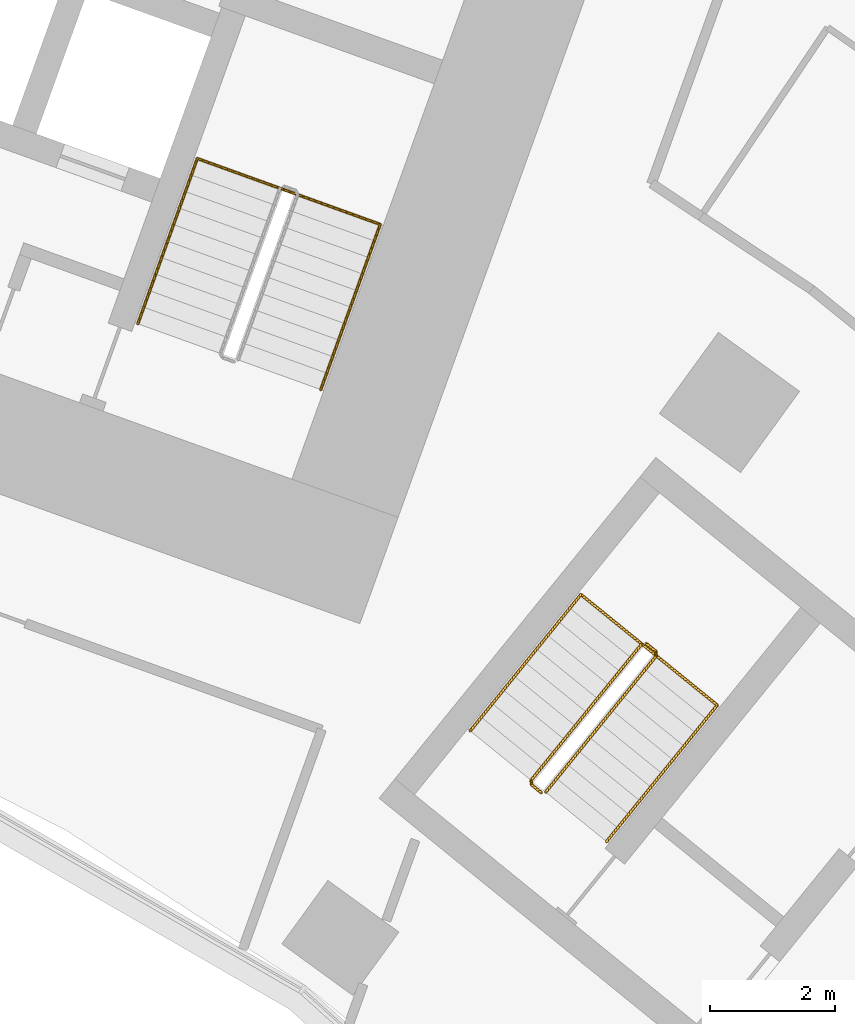
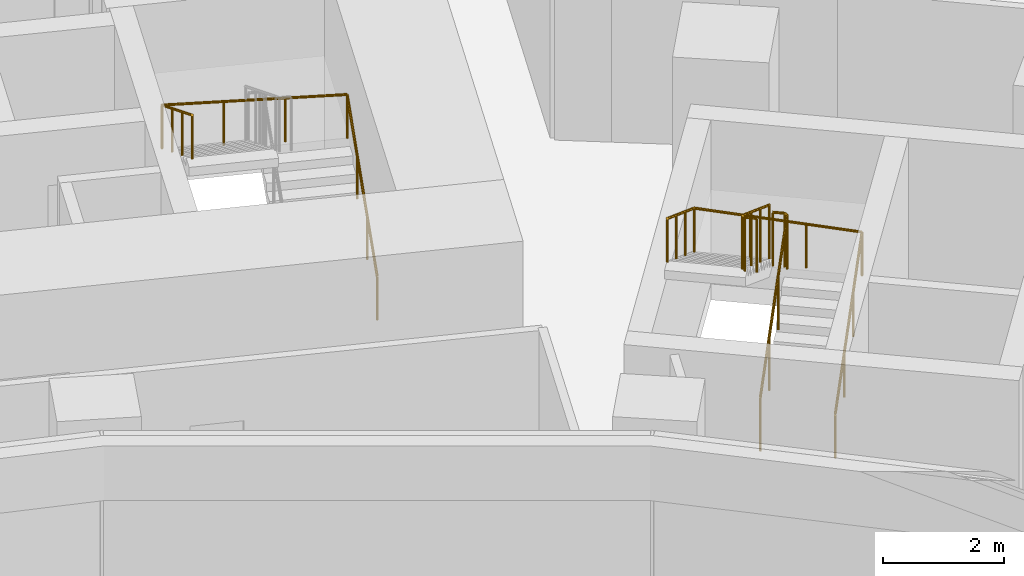
# One storey, part 24 of 24: 4 railings.
"""IFC4 building model written with IfcOpenShell, lengths in metres."""

from ifc_helpers import new_model, si_unit, direction, frame, origin, origin_2d, place, context, subcontext, project, spatial, circle, extrude, material, type_object, element, save


model = new_model("IFC4")

# Units and contexts
model_context = context("Model", 3, precision=1e-05, world=origin(), true_north=direction((0.0, 1.0)))
body_context = subcontext(model_context, "Body", "Model", "MODEL_VIEW")
ifc_project = project(units=[si_unit("LENGTHUNIT", "METRE"), si_unit("AREAUNIT", "SQUARE_METRE"), si_unit("VOLUMEUNIT", "CUBIC_METRE"), si_unit("PLANEANGLEUNIT", "RADIAN"), si_unit("MASSUNIT", "GRAM", prefix="KILO")], contexts=[model_context])

# Site, building, storey
site_placement = place(None, origin())
site = spatial("IfcSite", under=ifc_project, at=site_placement, CompositionType="ELEMENT")
building_placement = place(site_placement, origin())
building = spatial("IfcBuilding", under=site, at=building_placement, Name="Stone Belt Terrace Tower", CompositionType="ELEMENT")
storey_placement = place(building_placement, frame((0.0, 0.0, 75.60009765625)))
storey = spatial("IfcBuildingStorey", under=building, at=storey_placement, Name="L18", CompositionType="ELEMENT", Elevation=75.60009765625)

# Railings
ifc_material = material(Name="Structural steel C345", Category="steel")
railing_type_1 = type_object("IfcRailingType", Name="Stair guard 1100", PredefinedType="GUARDRAIL", material=ifc_material)
railing_1_placement = place(storey_placement, frame((29.39794921875, 38.281982421875, 0.172607421875)))
element("IfcRailing", 1, at=railing_1_placement, inside=storey, type_object=railing_type_1, Name="L18 ST3B stair guard 1", PredefinedType="GUARDRAIL", context=body_context, shape_type="SweptSolid", body=[
    extrude(circle(Radius=0.02392578125, at=origin_2d()), frame((0.0, 0.0, 1.076171875), z_axis=(0.536393061503, 0.660769759217, 0.525038864158), x_axis=(-0.776391310223, 0.630251166924, 0.0)), (0.0, 0.0, 1.0), 3.289794921875),
    extrude(circle(Radius=0.02392578125, at=origin_2d()), frame((1.7646484375, 2.173828125, 2.80322265625), z_axis=(-0.103251414163, 0.994655289773, 0.0), x_axis=(-0.994655289773, -0.103251414163, 0.0)), (0.0, 0.0, 1.0), 0.071044921875),
    extrude(circle(Radius=0.02392578125, at=origin_2d()), frame((1.75732421875, 2.244384765625, 2.80322265625), z_axis=(-0.776561986372, 0.630040856868, 0.0), x_axis=(-0.630040856868, -0.776561986372, 0.0)), (0.0, 0.0, 1.0), 0.199951171875),
    extrude(circle(Radius=0.02099609375, at=origin_2d()), origin(), (0.0, 0.0, 1.0), 1.052001953125),
    extrude(circle(Radius=0.02099609375, at=origin_2d()), frame((0.588134765625, 0.724609375, 0.57568359375)), (0.0, 0.0, 1.0), 1.052001953125),
    extrude(circle(Radius=0.02099609375, at=origin_2d()), frame((1.176513671875, 1.44921875, 1.151611328125)), (0.0, 0.0, 1.0), 1.052001953125),
    extrude(circle(Radius=0.02099609375, at=origin_2d()), frame((1.7646484375, 2.173828125, 1.727294921875)), (0.0, 0.0, 1.0), 1.052001953125),
    extrude(circle(Radius=0.02099609375, at=origin_2d()), frame((1.75732421875, 2.244384765625, 1.727294921875)), (0.0, 0.0, 1.0), 1.052001953125),
    extrude(circle(Radius=0.02099609375, at=origin_2d()), frame((1.60205078125, 2.370361328125, 1.727294921875)), (0.0, 0.0, 1.0), 1.052001953125),
])
railing_2_placement = place(storey_placement, frame((30.9296875, 40.64501953125, 2.072509765625)))
element("IfcRailing", 2, at=railing_2_placement, inside=storey, type_object=railing_type_1, Name="L18 ST3B stair guard 2", PredefinedType="GUARDRAIL", context=body_context, shape_type="SweptSolid", body=[
    extrude(circle(Radius=0.02392578125, at=origin_2d()), frame((0.0, 0.0, 1.076171875), z_axis=(-0.536366759382, -0.660811565066, 0.525013118792), x_axis=(0.776425942316, -0.630208502084, 0.0)), (0.0, 0.0, 1.0), 3.2900390625),
    extrude(circle(Radius=0.02392578125, at=origin_2d()), frame((-1.7646484375, -2.174072265625, 2.80322265625), z_axis=(0.103606084259, -0.994618408891, 0.0), x_axis=(0.994618408891, 0.103606084259, 0.0)), (0.0, 0.0, 1.0), 0.07080078125),
    extrude(circle(Radius=0.02392578125, at=origin_2d()), frame((-1.75732421875, -2.244384765625, 2.80322265625), z_axis=(0.776561986372, -0.630040856868, 0.0), x_axis=(0.630040856868, 0.776561986372, 0.0)), (0.0, 0.0, 1.0), 0.199951171875),
    extrude(circle(Radius=0.02099609375, at=origin_2d()), origin(), (0.0, 0.0, 1.0), 1.052001953125),
    extrude(circle(Radius=0.02099609375, at=origin_2d()), frame((-0.588134765625, -0.724609375, 0.57568359375)), (0.0, 0.0, 1.0), 1.052001953125),
    extrude(circle(Radius=0.02099609375, at=origin_2d()), frame((-1.176513671875, -1.449462890625, 1.151611328125)), (0.0, 0.0, 1.0), 1.052001953125),
    extrude(circle(Radius=0.02099609375, at=origin_2d()), frame((-1.7646484375, -2.174072265625, 1.727294921875)), (0.0, 0.0, 1.0), 1.052001953125),
    extrude(circle(Radius=0.02099609375, at=origin_2d()), frame((-1.75732421875, -2.244384765625, 1.727294921875)), (0.0, 0.0, 1.0), 1.052001953125),
    extrude(circle(Radius=0.02099609375, at=origin_2d()), frame((-1.60205078125, -2.370361328125, 1.727294921875)), (0.0, 0.0, 1.0), 1.052001953125),
])
railing_type_2 = type_object("IfcRailingType", Name="Stair handrail 900", PredefinedType="HANDRAIL", material=ifc_material)
railing_3_placement = place(storey_placement, frame((25.8115234375, 44.700439453125, 0.172607421875)))
element("IfcRailing", 3, at=railing_3_placement, inside=storey, type_object=railing_type_2, Name="L18 ST1B stair handrail 1", PredefinedType="HANDRAIL", context=body_context, shape_type="SweptSolid", body=[
    extrude(circle(Radius=0.02392578125, at=origin_2d()), frame((0.0, 0.0, 0.8759765625), z_axis=(0.288228637646, 0.800791768495, 0.525030280985), x_axis=(-0.940908529223, 0.338660803216, 0.0)), (0.0, 0.0, 1.0), 3.289794921875),
    extrude(circle(Radius=0.02392578125, at=origin_2d()), frame((0.9482421875, 2.634521484375, 2.60302734375), z_axis=(-0.939464517435, 0.338106580597, 0.055591012205), x_axis=(-0.338630230244, -0.940919532779, 0.0)), (0.0, 0.0, 1.0), 3.10498046875),
    extrude(circle(Radius=0.02392578125, at=origin_2d()), frame((-1.96875, 3.684326171875, 2.77587890625), z_axis=(-0.288160591223, -0.800808895155, 0.52504150989), x_axis=(0.940936311087, -0.338583606334, 0.0)), (0.0, 0.0, 1.0), 3.289794921875),
    extrude(circle(Radius=0.02099609375, at=origin_2d()), origin(), (0.0, 0.0, 1.0), 0.851806640625),
    extrude(circle(Radius=0.02099609375, at=origin_2d()), frame((0.316162109375, 0.878173828125, 0.57568359375)), (0.0, 0.0, 1.0), 0.851806640625),
    extrude(circle(Radius=0.02099609375, at=origin_2d()), frame((0.632080078125, 1.75634765625, 1.151611328125)), (0.0, 0.0, 1.0), 0.851806640625),
    extrude(circle(Radius=0.02099609375, at=origin_2d()), frame((0.9482421875, 2.634521484375, 1.727294921875)), (0.0, 0.0, 1.0), 0.851806640625),
    extrude(circle(Radius=0.02099609375, at=origin_2d()), frame((-0.024169921875, 2.984375, 1.784912109375)), (0.0, 0.0, 1.0), 0.851806640625),
    extrude(circle(Radius=0.02099609375, at=origin_2d()), frame((-0.996337890625, 3.33447265625, 1.84228515625)), (0.0, 0.0, 1.0), 0.851806640625),
    extrude(circle(Radius=0.02099609375, at=origin_2d()), frame((-1.96875, 3.684326171875, 1.89990234375)), (0.0, 0.0, 1.0), 0.851806640625),
    extrude(circle(Radius=0.02099609375, at=origin_2d()), frame((-2.28466796875, 2.80615234375, 2.4755859375)), (0.0, 0.0, 1.0), 0.851806640625),
    extrude(circle(Radius=0.02099609375, at=origin_2d()), frame((-2.600830078125, 1.927978515625, 3.051513671875)), (0.0, 0.0, 1.0), 0.851806640625),
    extrude(circle(Radius=0.02099609375, at=origin_2d()), frame((-2.916748046875, 1.0498046875, 3.627197265625)), (0.0, 0.0, 1.0), 0.851806640625),
])
railing_4_placement = place(storey_placement, frame((30.36865234375, 37.494140625, 0.172607421875)))
element("IfcRailing", 4, at=railing_4_placement, inside=storey, type_object=railing_type_2, Name="L18 ST3B stair handrail 1", PredefinedType="HANDRAIL", context=body_context, shape_type="SweptSolid", body=[
    extrude(circle(Radius=0.02392578125, at=origin_2d()), frame((0.0, 0.0, 0.8759765625), z_axis=(0.536366759382, 0.660811565066, 0.525013118792), x_axis=(-0.776425942316, 0.630208502084, 0.0)), (0.0, 0.0, 1.0), 3.2900390625),
    extrude(circle(Radius=0.02392578125, at=origin_2d()), frame((1.7646484375, 2.174072265625, 2.60302734375), z_axis=(-0.774954966459, 0.629014542119, 0.061526463929), x_axis=(-0.630208502084, -0.776425942316, 0.0)), (0.0, 0.0, 1.0), 2.805419921875),
    extrude(circle(Radius=0.02392578125, at=origin_2d()), frame((-0.409423828125, 3.938720703125, 2.77587890625), z_axis=(-0.536366759382, -0.660811565066, 0.525013118792), x_axis=(0.776425942316, -0.630208502084, 0.0)), (0.0, 0.0, 1.0), 3.2900390625),
    extrude(circle(Radius=0.02099609375, at=origin_2d()), origin(), (0.0, 0.0, 1.0), 0.851806640625),
    extrude(circle(Radius=0.02099609375, at=origin_2d()), frame((0.588134765625, 0.724609375, 0.57568359375)), (0.0, 0.0, 1.0), 0.851806640625),
    extrude(circle(Radius=0.02099609375, at=origin_2d()), frame((1.176513671875, 1.449462890625, 1.151611328125)), (0.0, 0.0, 1.0), 0.851806640625),
    extrude(circle(Radius=0.02099609375, at=origin_2d()), frame((1.7646484375, 2.174072265625, 1.727294921875)), (0.0, 0.0, 1.0), 0.851806640625),
    extrude(circle(Radius=0.02099609375, at=origin_2d()), frame((1.0400390625, 2.76220703125, 1.784912109375)), (0.0, 0.0, 1.0), 0.851806640625),
    extrude(circle(Radius=0.02099609375, at=origin_2d()), frame((0.315185546875, 3.3505859375, 1.84228515625)), (0.0, 0.0, 1.0), 0.851806640625),
    extrude(circle(Radius=0.02099609375, at=origin_2d()), frame((-0.409423828125, 3.938720703125, 1.89990234375)), (0.0, 0.0, 1.0), 0.851806640625),
    extrude(circle(Radius=0.02099609375, at=origin_2d()), frame((-0.99755859375, 3.214111328125, 2.4755859375)), (0.0, 0.0, 1.0), 0.851806640625),
    extrude(circle(Radius=0.02099609375, at=origin_2d()), frame((-1.5859375, 2.4892578125, 3.051513671875)), (0.0, 0.0, 1.0), 0.851806640625),
    extrude(circle(Radius=0.02099609375, at=origin_2d()), frame((-2.174072265625, 1.7646484375, 3.627197265625)), (0.0, 0.0, 1.0), 0.851806640625),
])

save(model, "model.ifc")
